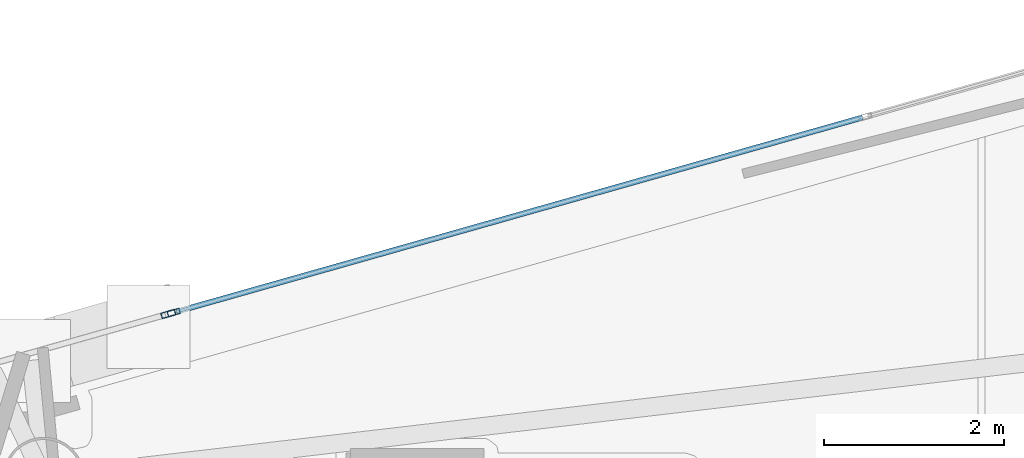
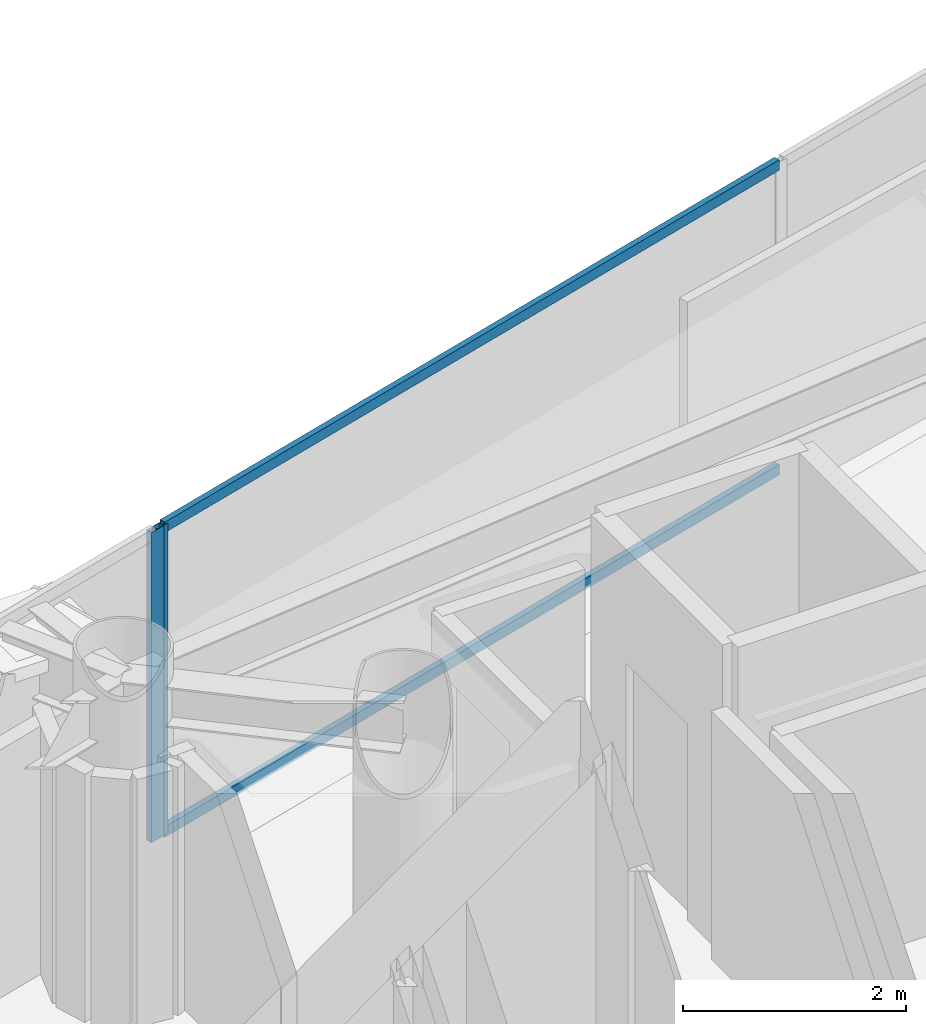
# One storey, part 13 of 20: 4 members, 2 elements without a shape of their own.
"""IFC4 building model written with IfcOpenShell, lengths in metres."""

from ifc_helpers import new_model, si_unit, direction, frame, origin, origin_2d, place, context, subcontext, project, spatial, hollow_rectangle, extrude, material, layer, layer_set, material_profile, profile_set, type_object, element, aggregate, save


model = new_model("IFC4")

# Units and contexts
model_context = context("Model", 3, precision=1e-05, world=origin(), true_north=direction((0.0, 1.0)))
body_context = subcontext(model_context, "Body", "Model", "MODEL_VIEW")
ifc_project = project(units=[si_unit("LENGTHUNIT", "METRE"), si_unit("AREAUNIT", "SQUARE_METRE"), si_unit("VOLUMEUNIT", "CUBIC_METRE"), si_unit("PLANEANGLEUNIT", "RADIAN"), si_unit("MASSUNIT", "GRAM", prefix="KILO")], contexts=[model_context])

# Site, building, storey
site_placement = place(None, origin())
site = spatial("IfcSite", under=ifc_project, at=site_placement, CompositionType="ELEMENT")
building_placement = place(site_placement, origin())
building = spatial("IfcBuilding", under=site, at=building_placement, Name="Qianvela Tower", CompositionType="ELEMENT")
storey_placement = place(building_placement, frame((0.0, 0.0, 317.60009765625)))
storey = spatial("IfcBuildingStorey", under=building, at=storey_placement, Name="L82", CompositionType="ELEMENT", Elevation=317.60009765625)

# Curtain wall, member
ifc_material_1 = material(Name="Anodised Architectural Aluminium and Insulated Spandrel Panel", Category="aluminium")
ifc_layer_1 = layer(ifc_material_1, 0.179931640625)
ifc_layer_set_1 = layer_set([ifc_layer_1], Name="Anodised Architectural Aluminium and Insulated Spandrel Panel")
curtain_wall_type_1 = type_object("IfcCurtainWallType", Name="CW-BRACEBAY", PredefinedType="USERDEFINED", material=ifc_layer_set_1)
curtain_wall_1_placement = place(storey_placement, origin())
curtain_wall_1 = element("IfcCurtainWall", 1, at=curtain_wall_1_placement, inside=storey, type_object=curtain_wall_type_1, Name="L82 CW-BRACEBAY Curtain Wall 02B", ObjectType="CURTAIN_WALL_SYSTEM", PredefinedType="USERDEFINED")
ifc_material_2 = material(Name="Anodised Architectural Aluminium 6063-T6", Category="aluminium")
ifc_material_profile_1 = material_profile(ifc_material_2, hollow_rectangle(XDim=0.06494140625, YDim=0.159912109375, WallThickness=0.0048828125, at=origin_2d()), Name="ALU-MULL-65x160")
ifc_profile_set_1 = profile_set([ifc_material_profile_1], Name="Anodised Architectural Aluminium 6063-T6")
member_type_1 = type_object("IfcMemberType", Name="CW-BRACEBAY-MULL", PredefinedType="MULLION", material=ifc_profile_set_1)
member_1_placement = place(storey_placement, frame((37.858642578125, 37.061279296875, 0.0), z_axis=(0.0, 0.0, 1.0), x_axis=(0.272391367522, -0.962186542672, 0.0)))
member_1 = element("IfcMember", 2, at=member_1_placement, type_object=member_type_1, Name="CW-9 mullion 1", PredefinedType="MULLION", context=body_context, shape_type="SweptSolid", body=[
    extrude(hollow_rectangle(XDim=0.06494140625, YDim=0.159912109375, WallThickness=0.0048828125, at=origin_2d()), origin(), (0.0, 0.0, 1.0), 3.39990234375),
])
aggregate(curtain_wall_1, [member_1])

# Curtain wall, members
ifc_material_3 = material(Name="Anodised Architectural Aluminium and Low-E Glass", Category="aluminium")
ifc_layer_2 = layer(ifc_material_3, 0.14990234375)
ifc_layer_set_2 = layer_set([ifc_layer_2], Name="Anodised Architectural Aluminium and Low-E Glass")
curtain_wall_type_2 = type_object("IfcCurtainWallType", Name="CW-COLIV-Z78", PredefinedType="USERDEFINED", material=ifc_layer_set_2)
curtain_wall_2_placement = place(storey_placement, origin())
curtain_wall_2 = element("IfcCurtainWall", 3, at=curtain_wall_2_placement, inside=storey, type_object=curtain_wall_type_2, Name="L82 CW-COLIV-Z78 Curtain Wall 02A", ObjectType="CURTAIN_WALL_SYSTEM", PredefinedType="USERDEFINED")
ifc_material_4 = material(Name="Anodised Architectural Aluminium 6063-T6", Category="aluminium")
ifc_material_profile_2 = material_profile(ifc_material_4, hollow_rectangle(XDim=0.06005859375, YDim=0.139892578125, WallThickness=0.00439453125, at=origin_2d()), Name="ALU-MULL-60x140")
ifc_profile_set_2 = profile_set([ifc_material_profile_2], Name="Anodised Architectural Aluminium 6063-T6")
member_type_2 = type_object("IfcMemberType", Name="CW-COLIV-Z78-MULL", PredefinedType="MULLION", material=ifc_profile_set_2)
member_2_placement = place(storey_placement, frame((37.9189453125, 37.078369140625, 0.0), z_axis=(0.0, 0.0, 1.0), x_axis=(0.272398078833, -0.9621846427, 0.0)))
member_2 = element("IfcMember", 4, at=member_2_placement, type_object=member_type_2, Name="CW-6 mullion 3", PredefinedType="MULLION", context=body_context, shape_type="SweptSolid", body=[
    extrude(hollow_rectangle(XDim=0.06005859375, YDim=0.139892578125, WallThickness=0.00439453125, at=origin_2d()), origin(), (0.0, 0.0, 1.0), 3.39990234375),
])
ifc_material_5 = material(Name="Anodised Architectural Aluminium 6063-T6", Category="aluminium")
ifc_material_profile_3 = material_profile(ifc_material_5, hollow_rectangle(XDim=0.06005859375, YDim=0.114990234375, WallThickness=0.00390625, at=origin_2d()), Name="ALU-TRAN-60x115")
ifc_profile_set_3 = profile_set([ifc_material_profile_3], Name="Anodised Architectural Aluminium 6063-T6")
member_type_3 = type_object("IfcMemberType", Name="CW-COLIV-Z78-TRAN", PredefinedType="USERDEFINED", material=ifc_profile_set_3)
member_3_placement = place(storey_placement, frame((45.5634765625, 39.242431640625, 0.02978515625), z_axis=(-0.96218576095, -0.272394128837, 0.0), x_axis=(0.272394128837, -0.96218576095, 0.0)))
member_3 = element("IfcMember", 5, at=member_3_placement, type_object=member_type_3, Name="CW-6 transom 2.1", ObjectType="TRANSOM", PredefinedType="USERDEFINED", context=body_context, shape_type="SweptSolid", body=[
    extrude(hollow_rectangle(XDim=0.06005859375, YDim=0.114990234375, WallThickness=0.00390625, at=origin_2d()), origin(), (0.0, 0.0, 1.0), 7.9150390625),
])
member_4_placement = place(storey_placement, frame((45.5634765625, 39.242431640625, 3.369873046875), z_axis=(-0.96218576095, -0.272394128837, 0.0), x_axis=(0.272394128837, -0.96218576095, 0.0)))
member_4 = element("IfcMember", 6, at=member_4_placement, type_object=member_type_3, Name="CW-6 transom 2.2", ObjectType="TRANSOM", PredefinedType="USERDEFINED", context=body_context, shape_type="SweptSolid", body=[
    extrude(hollow_rectangle(XDim=0.06005859375, YDim=0.114990234375, WallThickness=0.00390625, at=origin_2d()), origin(), (0.0, 0.0, 1.0), 7.9150390625),
])
aggregate(curtain_wall_2, [member_2, member_3, member_4])

save(model, "model.ifc")
